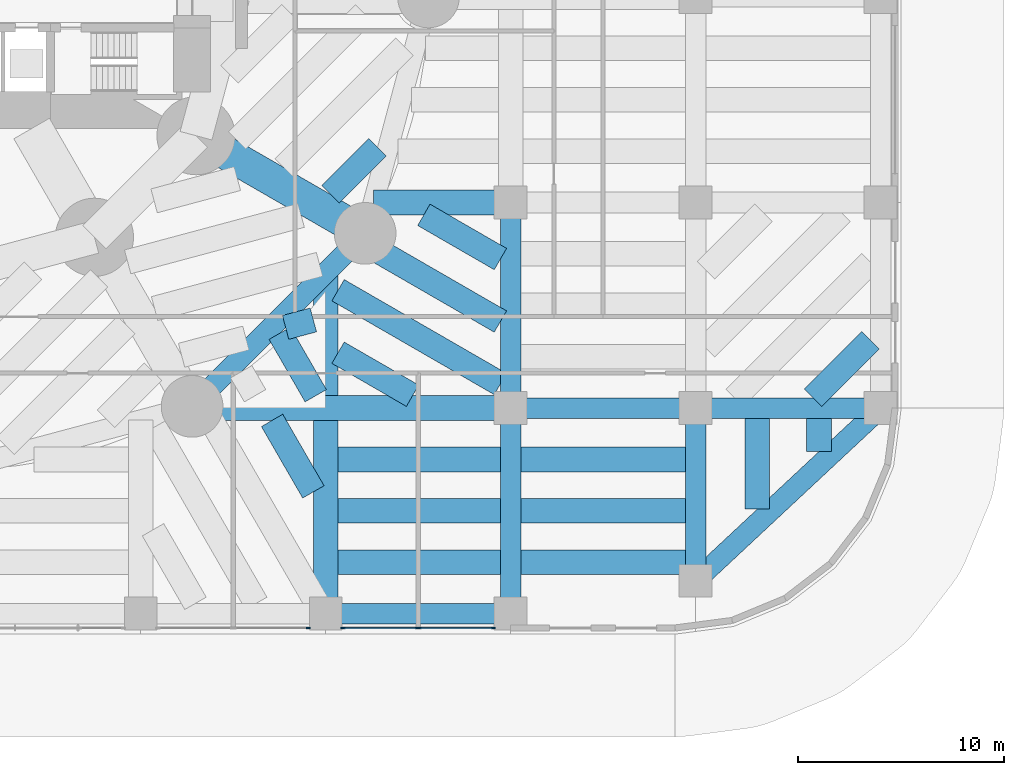
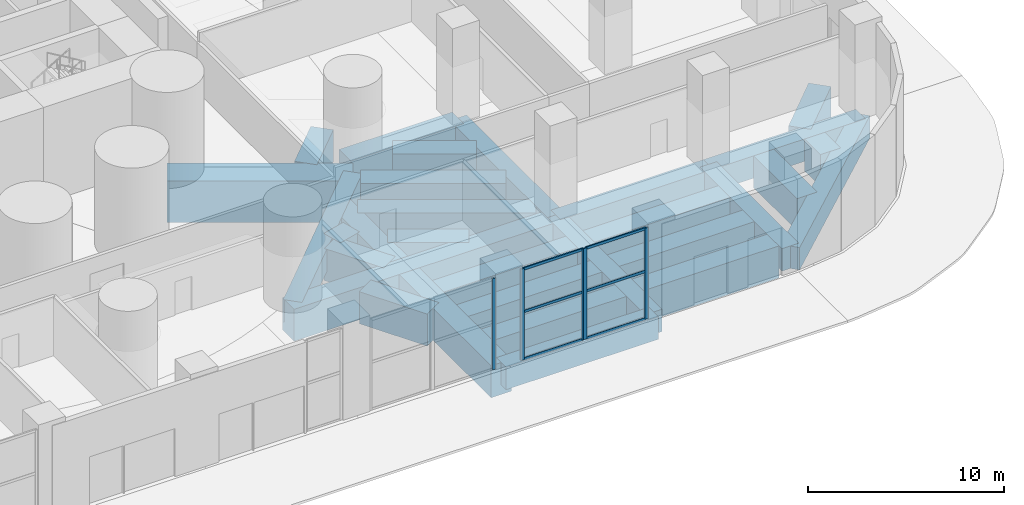
# One storey, part 8 of 20: 29 beams, 11 members, 3 elements without a shape of their own.
"""IFC4 building model written with IfcOpenShell, lengths in metres."""

from ifc_helpers import new_model, si_unit, direction, frame, origin, origin_2d, place, context, subcontext, project, spatial, rectangle, extrude, material, material_profile, profile_set, type_object, element, aggregate, save


model = new_model("IFC4")

# Units and contexts
model_context = context("Model", 3, precision=1e-05, world=origin(), true_north=direction((0.0, 1.0)))
body_context = subcontext(model_context, "Body", "Model", "MODEL_VIEW")
ifc_project = project(units=[si_unit("LENGTHUNIT", "METRE"), si_unit("AREAUNIT", "SQUARE_METRE"), si_unit("VOLUMEUNIT", "CUBIC_METRE"), si_unit("PLANEANGLEUNIT", "RADIAN"), si_unit("MASSUNIT", "GRAM", prefix="KILO")], contexts=[model_context])

# Site, building, storey
site_placement = place(None, origin())
site = spatial("IfcSite", under=ifc_project, at=site_placement, CompositionType="ELEMENT")
building_placement = place(site_placement, origin())
building = spatial("IfcBuilding", under=site, at=building_placement, Name="Qaws Media Tower", CompositionType="ELEMENT")
storey_placement = place(building_placement, origin())
storey = spatial("IfcBuildingStorey", under=building, at=storey_placement, Name="L00", CompositionType="ELEMENT", Elevation=0.0)

# Curtain wall, member
ifc_material_1 = material(Name="Aluminium and clear glass", Category="aluminium")
curtain_wall_type = type_object("IfcCurtainWallType", Name="Podium shopfront CW-P", PredefinedType="NOTDEFINED", material=ifc_material_1)
curtain_wall_1_placement = place(storey_placement, origin())
curtain_wall_1 = element("IfcCurtainWall", 1, at=curtain_wall_1_placement, inside=storey, type_object=curtain_wall_type, Name="CWP shopfront L00 S9", PredefinedType="NOTDEFINED")
ifc_material_2 = material(Name="Aluminium mullion", Category="aluminium")
ifc_material_profile_1 = material_profile(ifc_material_2, rectangle(XDim=0.080078125, YDim=0.199951171875, at=origin_2d()), Name="80x200")
ifc_profile_set_1 = profile_set([ifc_material_profile_1], Name="Aluminium mullion")
member_type_1 = type_object("IfcMemberType", Name="Curtain wall mullion 80x200", PredefinedType="MULLION", material=ifc_profile_set_1)
member_1_placement = place(storey_placement, frame((77.159912109375, 19.300048828125, 0.0), z_axis=(0.0, 0.0, 1.0), x_axis=(0.0, 1.0, 0.0)))
member_1 = element("IfcMember", 2, at=member_1_placement, type_object=member_type_1, Name="CWP mullion 2", PredefinedType="MULLION", context=body_context, shape_type="SweptSolid", body=[
    extrude(rectangle(XDim=0.080078125, YDim=0.199951171875, at=origin_2d()), origin(), (0.0, 0.0, 1.0), 5.699951171875),
])
aggregate(curtain_wall_1, [member_1])

# Curtain wall, members
curtain_wall_2_placement = place(storey_placement, origin())
curtain_wall_2 = element("IfcCurtainWall", 3, at=curtain_wall_2_placement, inside=storey, type_object=curtain_wall_type, Name="CWP shopfront L00 S10", PredefinedType="NOTDEFINED")
member_2_placement = place(storey_placement, frame((78.840087890625, 19.300048828125, 0.0), z_axis=(0.0, 0.0, 1.0), x_axis=(0.0, 1.0, 0.0)))
member_2 = element("IfcMember", 4, at=member_2_placement, type_object=member_type_1, Name="CWP mullion 1", PredefinedType="MULLION", context=body_context, shape_type="SweptSolid", body=[
    extrude(rectangle(XDim=0.080078125, YDim=0.199951171875, at=origin_2d()), origin(), (0.0, 0.0, 1.0), 5.699951171875),
])
member_3_placement = place(storey_placement, frame((82.4599609375, 19.300048828125, 0.0), z_axis=(0.0, 0.0, 1.0), x_axis=(0.0, 1.0, 0.0)))
member_3 = element("IfcMember", 5, at=member_3_placement, type_object=member_type_1, Name="CWP mullion 2", PredefinedType="MULLION", context=body_context, shape_type="SweptSolid", body=[
    extrude(rectangle(XDim=0.080078125, YDim=0.199951171875, at=origin_2d()), origin(), (0.0, 0.0, 1.0), 5.699951171875),
])

curtain_wall_3_placement = place(storey_placement, origin())
curtain_wall_3 = element("IfcCurtainWall", 6, at=curtain_wall_3_placement, inside=storey, type_object=curtain_wall_type, Name="CWP shopfront L00 S11", PredefinedType="NOTDEFINED")
member_4_placement = place(storey_placement, frame((82.5400390625, 19.300048828125, 0.0), z_axis=(0.0, 0.0, 1.0), x_axis=(0.0, 1.0, 0.0)))
member_4 = element("IfcMember", 7, at=member_4_placement, type_object=member_type_1, Name="CWP mullion 1", PredefinedType="MULLION", context=body_context, shape_type="SweptSolid", body=[
    extrude(rectangle(XDim=0.080078125, YDim=0.199951171875, at=origin_2d()), origin(), (0.0, 0.0, 1.0), 5.699951171875),
])
member_5_placement = place(storey_placement, frame((86.159912109375, 19.300048828125, 0.0), z_axis=(0.0, 0.0, 1.0), x_axis=(0.0, 1.0, 0.0)))
member_5 = element("IfcMember", 8, at=member_5_placement, type_object=member_type_1, Name="CWP mullion 2", PredefinedType="MULLION", context=body_context, shape_type="SweptSolid", body=[
    extrude(rectangle(XDim=0.080078125, YDim=0.199951171875, at=origin_2d()), origin(), (0.0, 0.0, 1.0), 5.699951171875),
])

# Member
ifc_material_3 = material(Name="Aluminium transom", Category="aluminium")
ifc_material_profile_2 = material_profile(ifc_material_3, rectangle(XDim=0.080078125, YDim=0.159912109375, at=origin_2d()), Name="80x160")
ifc_profile_set_2 = profile_set([ifc_material_profile_2], Name="Aluminium transom")
member_type_2 = type_object("IfcMemberType", Name="Curtain wall transom 80x160", PredefinedType="USERDEFINED", material=ifc_profile_set_2)
member_6_placement = place(storey_placement, frame((78.8798828125, 19.300048828125, 0.0400390625), z_axis=(1.0, 0.0, 0.0), x_axis=(0.0, 1.0, 0.0)))
member_6 = element("IfcMember", 9, at=member_6_placement, type_object=member_type_2, Name="CWP transom 1.1", ObjectType="TRANSOM", PredefinedType="USERDEFINED", context=body_context, shape_type="SweptSolid", body=[
    extrude(rectangle(XDim=0.080078125, YDim=0.159912109375, at=origin_2d()), origin(), (0.0, 0.0, 1.0), 3.5400390625),
])

member_7_placement = place(storey_placement, frame((78.8798828125, 19.300048828125, 3.0), z_axis=(1.0, 0.0, 0.0), x_axis=(0.0, 1.0, 0.0)))
member_7 = element("IfcMember", 10, at=member_7_placement, type_object=member_type_2, Name="CWP transom 1.2", ObjectType="TRANSOM", PredefinedType="USERDEFINED", context=body_context, shape_type="SweptSolid", body=[
    extrude(rectangle(XDim=0.080078125, YDim=0.159912109375, at=origin_2d()), origin(), (0.0, 0.0, 1.0), 3.5400390625),
])

member_8_placement = place(storey_placement, frame((78.8798828125, 19.300048828125, 5.659912109375), z_axis=(1.0, 0.0, 0.0), x_axis=(0.0, 1.0, 0.0)))
member_8 = element("IfcMember", 11, at=member_8_placement, type_object=member_type_2, Name="CWP transom 1.3", ObjectType="TRANSOM", PredefinedType="USERDEFINED", context=body_context, shape_type="SweptSolid", body=[
    extrude(rectangle(XDim=0.080078125, YDim=0.159912109375, at=origin_2d()), origin(), (0.0, 0.0, 1.0), 3.5400390625),
])

aggregate(curtain_wall_2, [member_2, member_3, member_6, member_7, member_8])

member_9_placement = place(storey_placement, frame((82.580078125, 19.300048828125, 0.0400390625), z_axis=(1.0, 0.0, 0.0), x_axis=(0.0, 1.0, 0.0)))
member_9 = element("IfcMember", 12, at=member_9_placement, type_object=member_type_2, Name="CWP transom 1.1", ObjectType="TRANSOM", PredefinedType="USERDEFINED", context=body_context, shape_type="SweptSolid", body=[
    extrude(rectangle(XDim=0.080078125, YDim=0.159912109375, at=origin_2d()), origin(), (0.0, 0.0, 1.0), 3.5400390625),
])

member_10_placement = place(storey_placement, frame((82.580078125, 19.300048828125, 3.0), z_axis=(1.0, 0.0, 0.0), x_axis=(0.0, 1.0, 0.0)))
member_10 = element("IfcMember", 13, at=member_10_placement, type_object=member_type_2, Name="CWP transom 1.2", ObjectType="TRANSOM", PredefinedType="USERDEFINED", context=body_context, shape_type="SweptSolid", body=[
    extrude(rectangle(XDim=0.080078125, YDim=0.159912109375, at=origin_2d()), origin(), (0.0, 0.0, 1.0), 3.5400390625),
])

member_11_placement = place(storey_placement, frame((82.580078125, 19.300048828125, 5.659912109375), z_axis=(1.0, 0.0, 0.0), x_axis=(0.0, 1.0, 0.0)))
member_11 = element("IfcMember", 14, at=member_11_placement, type_object=member_type_2, Name="CWP transom 1.3", ObjectType="TRANSOM", PredefinedType="USERDEFINED", context=body_context, shape_type="SweptSolid", body=[
    extrude(rectangle(XDim=0.080078125, YDim=0.159912109375, at=origin_2d()), origin(), (0.0, 0.0, 1.0), 3.5400390625),
])

aggregate(curtain_wall_3, [member_4, member_5, member_9, member_10, member_11])

# Beams
ifc_material_4 = material(Name="Concrete C60/75", Category="concrete")
ifc_material_profile_3 = material_profile(ifc_material_4, rectangle(XDim=1.0, YDim=1.39990234375, at=origin_2d()), Name="RC 1000x1400")
ifc_profile_set_3 = profile_set([ifc_material_profile_3], Name="Concrete C60/75")
beam_type_1 = type_object("IfcBeamType", Name="Podium edge beam RC 1000x1400", PredefinedType="BEAM", material=ifc_profile_set_3)
beam_1_placement = place(storey_placement, frame((71.5, 30.081298828125, -1.0), z_axis=(0.707106781187, 0.707106781187, 0.0), x_axis=(-0.707106781187, 0.707106781187, 0.0)))
element("IfcBeam", 15, at=beam_1_placement, inside=storey, type_object=beam_type_1, Name="PB3 beam M11-M12", PredefinedType="BEAM", context=body_context, shape_type="SweptSolid", body=[
    extrude(rectangle(XDim=1.0, YDim=1.39990234375, at=origin_2d()), origin(), (0.0, 0.0, 1.0), 11.90576171875),
])
ifc_material_5 = material(Name="Concrete C60/75", Category="concrete")
ifc_material_profile_4 = material_profile(ifc_material_5, rectangle(XDim=1.0, YDim=1.39990234375, at=origin_2d()), Name="RC 1000x1400")
ifc_profile_set_4 = profile_set([ifc_material_profile_4], Name="Concrete C60/75")
beam_type_2 = type_object("IfcBeamType", Name="Podium girder RC 1000x1400", PredefinedType="BEAM", material=ifc_profile_set_4)
for number, where, z_axis, x_axis, name in (
    (16, (78.0, 20.0, -1.0), (1.0, 0.0, 0.0), (0.0, 1.0, 0.0), "PB5 beam 8-9/A"),
    (17, (87.0, 30.0, -1.0), (1.0, 0.0, 0.0), (0.0, 1.0, 0.0), "PB5 beam 9-10/B"),
    (18, (96.0, 30.0, -1.0), (1.0, 0.0, 0.0), (0.0, 1.0, 0.0), "PB5 beam 10-11/B"),
):
    element("IfcBeam", number, at=place(storey_placement, frame(where, z_axis=z_axis, x_axis=x_axis)), inside=storey, type_object=beam_type_2, Name=name, PredefinedType="BEAM", context=body_context, shape_type="SweptSolid", body=[
        extrude(rectangle(XDim=1.0, YDim=1.39990234375, at=origin_2d()), origin(), (0.0, 0.0, 1.0), 9.0),
    ])
for number, where, z_axis, x_axis, name in (
    (19, (87.0, 20.0, -1.0), (0.0, 1.0, 0.0), (-1.0, 0.0, 0.0), "PB5 beam 9/A-B"),
    (20, (87.0, 30.0, -1.0), (0.0, 1.0, 0.0), (-1.0, 0.0, 0.0), "PB5 beam 9/B-C"),
):
    element("IfcBeam", number, at=place(storey_placement, frame(where, z_axis=z_axis, x_axis=x_axis)), inside=storey, type_object=beam_type_2, Name=name, PredefinedType="BEAM", context=body_context, shape_type="SweptSolid", body=[
        extrude(rectangle(XDim=1.0, YDim=1.39990234375, at=origin_2d()), origin(), (0.0, 0.0, 1.0), 10.0),
    ])
beam_2_placement = place(storey_placement, frame((96.0, 21.60009765625, -1.0), z_axis=(0.0, 1.0, 0.0), x_axis=(-1.0, 0.0, 0.0)))
element("IfcBeam", 21, at=beam_2_placement, inside=storey, type_object=beam_type_2, Name="PB5 beam 10/A-B", PredefinedType="BEAM", context=body_context, shape_type="SweptSolid", body=[
    extrude(rectangle(XDim=1.0, YDim=1.39990234375, at=origin_2d()), origin(), (0.0, 0.0, 1.0), 8.39990234375),
])
beam_3_placement = place(storey_placement, frame((105.0, 30.0, -1.0), z_axis=(-0.73105922506, -0.682314010889, 0.0), x_axis=(0.682314010889, -0.73105922506, 0.0)))
element("IfcBeam", 22, at=beam_3_placement, inside=storey, type_object=beam_type_2, Name="PB5 beam 11/B-10/A", PredefinedType="BEAM", context=body_context, shape_type="SweptSolid", body=[
    extrude(rectangle(XDim=1.0, YDim=1.39990234375, at=origin_2d()), origin(), (0.0, 0.0, 1.0), 12.310791015625),
])
ifc_material_6 = material(Name="Concrete C60/75", Category="concrete")
ifc_material_profile_5 = material_profile(ifc_material_6, rectangle(XDim=1.199951171875, YDim=2.0, at=origin_2d()), Name="RC 1200x2000")
ifc_profile_set_5 = profile_set([ifc_material_profile_5], Name="Concrete C60/75")
beam_type_3 = type_object("IfcBeamType", Name="Podium long trimmer beam RC 1200x2000", PredefinedType="BEAM", material=ifc_profile_set_5)
beam_4_placement = place(storey_placement, frame((87.0, 30.0, -1.300048828125), z_axis=(-1.0, 0.0, 0.0), x_axis=(0.0, -1.0, 0.0)))
element("IfcBeam", 23, at=beam_4_placement, inside=storey, type_object=beam_type_3, Name="PB11 beam 9/B to the tower ring", PredefinedType="BEAM", context=body_context, shape_type="SweptSolid", body=[
    extrude(rectangle(XDim=1.199951171875, YDim=2.0, at=origin_2d()), origin(), (0.0, 0.0, 1.0), 15.803955078125),
])
beam_5_placement = place(storey_placement, frame((78.0, 20.0, -1.300048828125), z_axis=(0.0, 1.0, 0.0), x_axis=(-1.0, 0.0, 0.0)))
element("IfcBeam", 24, at=beam_5_placement, inside=storey, type_object=beam_type_3, Name="PB11 beam 8/A to the tower ring", PredefinedType="BEAM", context=body_context, shape_type="SweptSolid", body=[
    extrude(rectangle(XDim=1.199951171875, YDim=2.0, at=origin_2d()), origin(), (0.0, 0.0, 1.0), 16.581298828125),
])
ifc_material_7 = material(Name="Concrete C60/75", Category="concrete")
ifc_material_profile_6 = material_profile(ifc_material_7, rectangle(XDim=1.199951171875, YDim=2.0, at=origin_2d()), Name="RC 1200x2000")
ifc_profile_set_6 = profile_set([ifc_material_profile_6], Name="Concrete C60/75")
beam_type_4 = type_object("IfcBeamType", Name="Podium secondary beam RC 1200x2000", PredefinedType="BEAM", material=ifc_profile_set_6)
beam_6_placement = place(storey_placement, frame((77.39990234375, 25.921630859375, -1.300048828125), z_axis=(-0.500022371132, 0.86601248742, 0.0), x_axis=(-0.86601248742, -0.500022371132, 0.0)))
element("IfcBeam", 25, at=beam_6_placement, inside=storey, type_object=beam_type_4, Name="PB7 beam bay 7A line 1", PredefinedType="BEAM", context=body_context, shape_type="SweptSolid", body=[
    extrude(rectangle(XDim=1.199951171875, YDim=2.0, at=origin_2d()), origin(), (0.0, 0.0, 1.0), 4.016357421875),
])
beam_7_placement = place(storey_placement, frame((77.517578125, 30.60009765625, -1.300048828125), z_axis=(-0.500001597329, 0.866024481564, 0.0), x_axis=(-0.866024481564, -0.500001597329, 0.0)))
element("IfcBeam", 26, at=beam_7_placement, inside=storey, type_object=beam_type_4, Name="PB7 beam bay 7B line 1", PredefinedType="BEAM", context=body_context, shape_type="SweptSolid", body=[
    extrude(rectangle(XDim=1.199951171875, YDim=2.0, at=origin_2d()), origin(), (0.0, 0.0, 1.0), 3.5078125),
])
for number, where, z_axis, x_axis, name in (
    (27, (78.60009765625, 22.5, -1.300048828125), (1.0, 0.0, 0.0), (0.0, 1.0, 0.0), "PB7 beam bay 8A line 1"),
    (28, (78.60009765625, 25.0, -1.300048828125), (1.0, 0.0, 0.0), (0.0, 1.0, 0.0), "PB7 beam bay 8A line 2"),
    (29, (78.60009765625, 27.5, -1.300048828125), (1.0, 0.0, 0.0), (0.0, 1.0, 0.0), "PB7 beam bay 8A line 3"),
):
    element("IfcBeam", number, at=place(storey_placement, frame(where, z_axis=z_axis, x_axis=x_axis)), inside=storey, type_object=beam_type_4, Name=name, PredefinedType="BEAM", context=body_context, shape_type="SweptSolid", body=[
        extrude(rectangle(XDim=1.199951171875, YDim=2.0, at=origin_2d()), origin(), (0.0, 0.0, 1.0), 7.89990234375),
    ])
beam_8_placement = place(storey_placement, frame((86.5, 37.24951171875, -1.300048828125), z_axis=(-0.866040963478, 0.499973048851, 0.0), x_axis=(-0.499973048851, -0.866040963478, 0.0)))
element("IfcBeam", 30, at=beam_8_placement, inside=storey, type_object=beam_type_4, Name="PB7 beam bay 8B line 1", PredefinedType="BEAM", context=body_context, shape_type="SweptSolid", body=[
    extrude(rectangle(XDim=1.199951171875, YDim=2.0, at=origin_2d()), origin(), (0.0, 0.0, 1.0), 4.301025390625),
])
beam_9_placement = place(storey_placement, frame((86.5, 34.210205078125, -1.300048828125), z_axis=(-0.866033686948, 0.499985652865, 0.0), x_axis=(-0.499985652865, -0.866033686948, 0.0)))
element("IfcBeam", 31, at=beam_9_placement, inside=storey, type_object=beam_type_4, Name="PB7 beam bay 8B line 2", PredefinedType="BEAM", context=body_context, shape_type="SweptSolid", body=[
    extrude(rectangle(XDim=1.199951171875, YDim=2.0, at=origin_2d()), origin(), (0.0, 0.0, 1.0), 7.440673828125),
])
beam_10_placement = place(storey_placement, frame((86.5, 31.1708984375, -1.300048828125), z_axis=(-0.866024244995, 0.500002007077, 0.0), x_axis=(-0.500002007077, -0.866024244995, 0.0)))
element("IfcBeam", 32, at=beam_10_placement, inside=storey, type_object=beam_type_4, Name="PB7 beam bay 8B line 3", PredefinedType="BEAM", context=body_context, shape_type="SweptSolid", body=[
    extrude(rectangle(XDim=1.199951171875, YDim=2.0, at=origin_2d()), origin(), (0.0, 0.0, 1.0), 9.1220703125),
])
beam_11_placement = place(storey_placement, frame((82.224853515625, 30.60009765625, -1.300048828125), z_axis=(-0.866023369196, 0.500003523994, 0.0), x_axis=(-0.500003523994, -0.866023369196, 0.0)))
element("IfcBeam", 33, at=beam_11_placement, inside=storey, type_object=beam_type_4, Name="PB7 beam bay 8B line 4", PredefinedType="BEAM", context=body_context, shape_type="SweptSolid", body=[
    extrude(rectangle(XDim=1.199951171875, YDim=2.0, at=origin_2d()), origin(), (0.0, 0.0, 1.0), 4.185546875),
])
for number, where, z_axis, x_axis, name in (
    (34, (87.5, 22.5, -1.300048828125), (1.0, 0.0, 0.0), (0.0, 1.0, 0.0), "PB7 beam bay 9A line 1"),
    (35, (87.5, 25.0, -1.300048828125), (1.0, 0.0, 0.0), (0.0, 1.0, 0.0), "PB7 beam bay 9A line 2"),
    (36, (87.5, 27.5, -1.300048828125), (1.0, 0.0, 0.0), (0.0, 1.0, 0.0), "PB7 beam bay 9A line 3"),
):
    element("IfcBeam", number, at=place(storey_placement, frame(where, z_axis=z_axis, x_axis=x_axis)), inside=storey, type_object=beam_type_4, Name=name, PredefinedType="BEAM", context=body_context, shape_type="SweptSolid", body=[
        extrude(rectangle(XDim=1.199951171875, YDim=2.0, at=origin_2d()), origin(), (0.0, 0.0, 1.0), 8.0),
    ])
beam_12_placement = place(storey_placement, frame((102.0, 27.884033203125, -1.300048828125), z_axis=(0.0, 1.0, 0.0), x_axis=(-1.0, 0.0, 0.0)))
element("IfcBeam", 37, at=beam_12_placement, inside=storey, type_object=beam_type_4, Name="PB7 beam bay 10A line 1", PredefinedType="BEAM", context=body_context, shape_type="SweptSolid", body=[
    extrude(rectangle(XDim=1.199951171875, YDim=2.0, at=origin_2d()), origin(), (0.0, 0.0, 1.0), 1.615966796875),
])
beam_13_placement = place(storey_placement, frame((99.0, 25.083984375, -1.300048828125), z_axis=(0.0, 1.0, 0.0), x_axis=(-1.0, 0.0, 0.0)))
element("IfcBeam", 38, at=beam_13_placement, inside=storey, type_object=beam_type_4, Name="PB7 beam bay 10A line 2", PredefinedType="BEAM", context=body_context, shape_type="SweptSolid", body=[
    extrude(rectangle(XDim=1.199951171875, YDim=2.0, at=origin_2d()), origin(), (0.0, 0.0, 1.0), 4.416015625),
])
beam_14_placement = place(storey_placement, frame((101.699951171875, 30.5, -1.300048828125), z_axis=(0.707106781187, 0.707106781187, 0.0), x_axis=(-0.707106781187, 0.707106781187, 0.0)))
element("IfcBeam", 39, at=beam_14_placement, inside=storey, type_object=beam_type_4, Name="PB7 beam bay 10B line 1", PredefinedType="BEAM", context=body_context, shape_type="SweptSolid", body=[
    extrude(rectangle(XDim=1.199951171875, YDim=2.0, at=origin_2d()), origin(), (0.0, 0.0, 1.0), 3.9599609375),
])
beam_15_placement = place(storey_placement, frame((76.049560546875, 33.924072265625, -1.300048828125), z_axis=(0.965927004363, 0.25881464843, 0.0), x_axis=(-0.25881464843, 0.965927004363, 0.0)))
element("IfcBeam", 40, at=beam_15_placement, inside=storey, type_object=beam_type_4, Name="PB7 beam bay T11 line 2", PredefinedType="BEAM", context=body_context, shape_type="SweptSolid", body=[
    extrude(rectangle(XDim=1.199951171875, YDim=2.0, at=origin_2d()), origin(), (0.0, 0.0, 1.0), 1.39794921875),
])
beam_16_placement = place(storey_placement, frame((78.232177734375, 40.3974609375, -1.300048828125), z_axis=(0.707144458383, 0.707069101983, 0.0), x_axis=(-0.707069101983, 0.707144458383, 0.0)))
element("IfcBeam", 41, at=beam_16_placement, inside=storey, type_object=beam_type_4, Name="PB7 beam bay T12 line 1", PredefinedType="BEAM", context=body_context, shape_type="SweptSolid", body=[
    extrude(rectangle(XDim=1.199951171875, YDim=2.0, at=origin_2d()), origin(), (0.0, 0.0, 1.0), 3.23974609375),
])
ifc_material_8 = material(Name="Concrete C60/75", Category="concrete")
ifc_material_profile_7 = material_profile(ifc_material_8, rectangle(XDim=1.60009765625, YDim=2.60009765625, at=origin_2d()), Name="RC 1600x2600")
ifc_profile_set_7 = profile_set([ifc_material_profile_7], Name="Concrete C60/75")
beam_type_5 = type_object("IfcBeamType", Name="Podium tower beam RC 1600x2600", PredefinedType="BEAM", material=ifc_profile_set_7)
beam_17_placement = place(storey_placement, frame((71.69140625, 43.25, -1.60009765625), z_axis=(0.86602681393, -0.499997557548, 0.0), x_axis=(0.499997557548, 0.86602681393, 0.0)))
element("IfcBeam", 42, at=beam_17_placement, inside=storey, type_object=beam_type_5, Name="PB9 beam I12-M12", PredefinedType="BEAM", context=body_context, shape_type="SweptSolid", body=[
    extrude(rectangle(XDim=1.60009765625, YDim=2.60009765625, at=origin_2d()), origin(), (0.0, 0.0, 1.0), 9.5),
])
ifc_material_9 = material(Name="Concrete C60/75", Category="concrete")
ifc_material_profile_8 = material_profile(ifc_material_9, rectangle(XDim=1.199951171875, YDim=2.0, at=origin_2d()), Name="RC 1200x2000")
ifc_profile_set_8 = profile_set([ifc_material_profile_8], Name="Concrete C60/75")
beam_type_6 = type_object("IfcBeamType", Name="Podium trimmer beam RC 1200x2000", PredefinedType="BEAM", material=ifc_profile_set_8)
beam_18_placement = place(storey_placement, frame((87.0, 40.0, -1.300048828125), z_axis=(-1.0, 0.0, 0.0), x_axis=(0.0, -1.0, 0.0)))
element("IfcBeam", 43, at=beam_18_placement, inside=storey, type_object=beam_type_6, Name="PB4 beam 9/C to the tower ring", PredefinedType="BEAM", context=body_context, shape_type="SweptSolid", body=[
    extrude(rectangle(XDim=1.199951171875, YDim=2.0, at=origin_2d()), origin(), (0.0, 0.0, 1.0), 6.679443359375),
])

save(model, "model.ifc")
